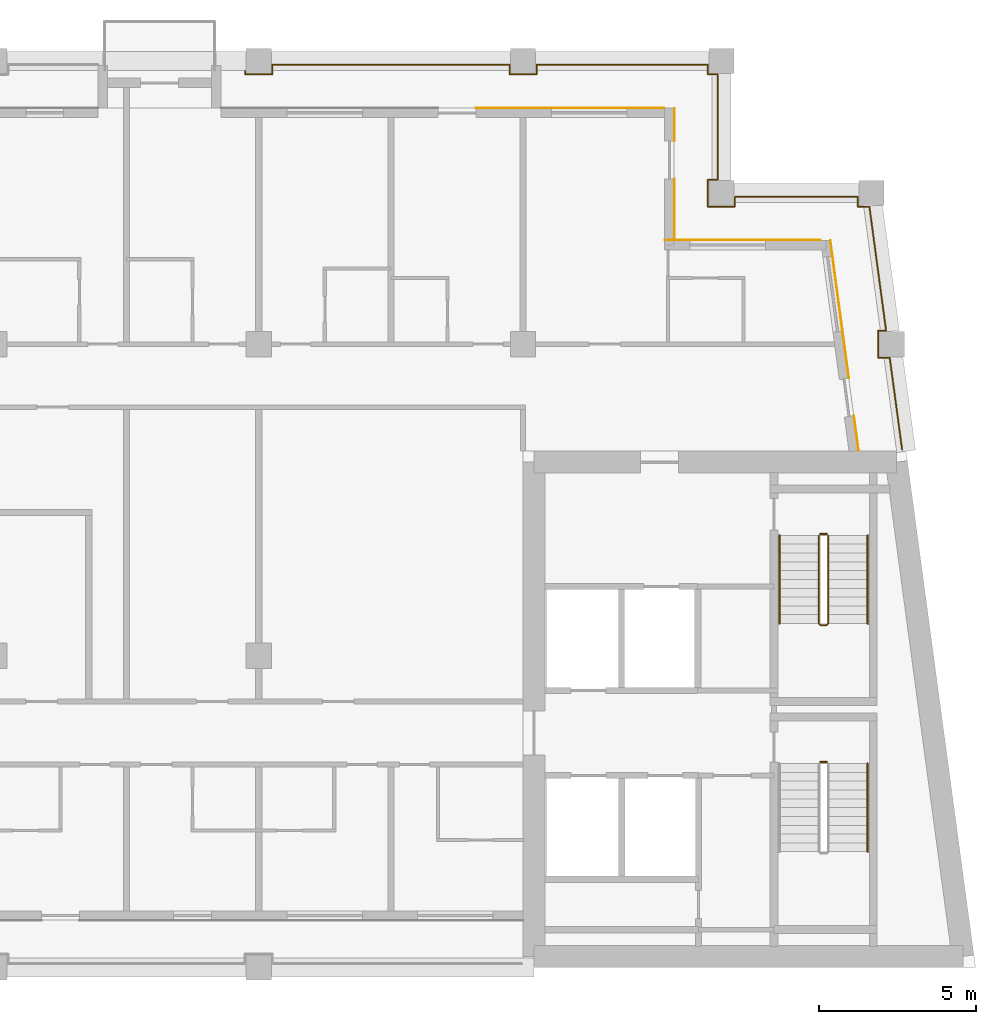
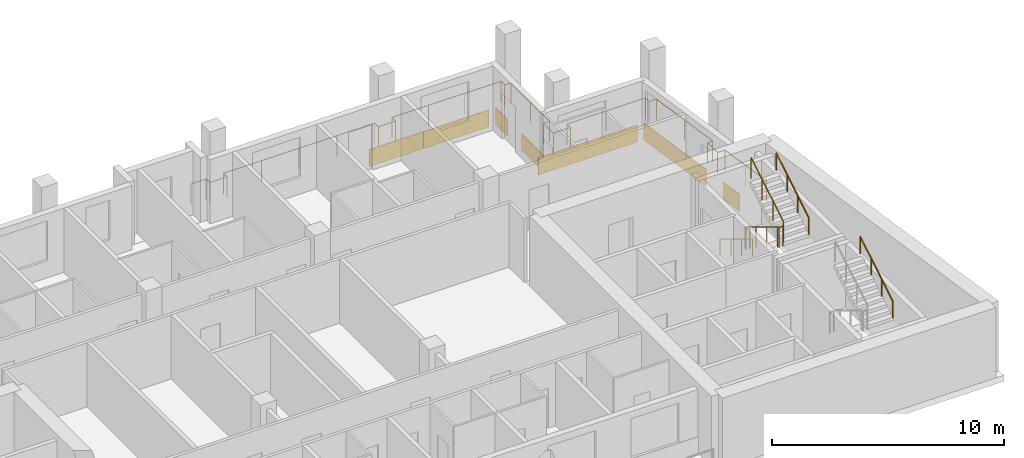
# One storey, part 9 of 10: 7 coverings, 7 railings.
"""IFC4 building model written with IfcOpenShell, lengths in metres."""

import ifcopenshell
import ifcopenshell.guid

model = None  # the IFC model being written
_history = None  # IfcOwnerHistory: only IFC2X3 demands one
_inside = {}  # id of a spatial element -> (the spatial element, [elements in it])
_under = {}  # id of a project, library or spatial element -> (it, [spatial elements below it])
_declared = {}  # id of a project -> (the project, [libraries it declares])
_typed = {}  # id of a type object -> (the type object, [elements of that type])
_made_of = {}  # id of a material, layer set ... -> (it, [elements and type objects made of it])


def new_model(schema):
    """Start an empty IFC model of exactly this schema.

    Asked for "IFC4X3", IfcOpenShell would pick the latest addendum, in which some entities
    have other attributes; the version numbers below select the first issue.
    IFC2X3 requires an IfcOwnerHistory on every rooted entity: one is made here for all.
    """
    global model, _history
    if schema == "IFC4X3":
        model = ifcopenshell.file(schema_version=(4, 3, 0, 0))
    else:
        model = ifcopenshell.file(schema=schema)
    _inside.clear()
    _under.clear()
    _declared.clear()
    _typed.clear()
    _made_of.clear()
    _history = None
    if model.schema == "IFC2X3":
        org = make("IfcOrganization", Name="unknown")
        user = make(
            "IfcPersonAndOrganization",
            ThePerson=make("IfcPerson", FamilyName="unknown"),
            TheOrganization=org,
        )
        app = make(
            "IfcApplication",
            ApplicationDeveloper=org,
            Version="unknown",
            ApplicationFullName="unknown",
            ApplicationIdentifier="unknown",
        )
        _history = make(
            "IfcOwnerHistory",
            OwningUser=user,
            OwningApplication=app,
            ChangeAction="ADDED",
            CreationDate=0,
        )
    return model


def make(cls, **values):
    """One entity of the class cls with the attributes given. An attribute that is None is left unset."""
    return model.create_entity(
        cls, **{name: value for name, value in values.items() if value is not None}
    )


def rooted(cls, **values):
    """An entity with a GlobalId (a new one), such as an element, a storey or a relation."""
    return make(cls, GlobalId=ifcopenshell.guid.new(), OwnerHistory=_history, **values)


def si_unit(unit_type, name, prefix=None):
    """IfcSIUnit, for example si_unit("LENGTHUNIT", "METRE", prefix="MILLI")."""
    return make("IfcSIUnit", UnitType=unit_type, Prefix=prefix, Name=name)


def assignment(units):
    """IfcUnitAssignment: the units of a project."""
    return None if units is None else make("IfcUnitAssignment", Units=units)


def point(xyz):
    """IfcCartesianPoint."""
    return None if xyz is None else make("IfcCartesianPoint", Coordinates=xyz)


def direction(xyz):
    """IfcDirection."""
    return None if xyz is None else make("IfcDirection", DirectionRatios=xyz)


def frame(location, z_axis=None, x_axis=None):
    """IfcAxis2Placement3D, a coordinate frame: its origin and axes. An axis left out is left unset."""
    return make(
        "IfcAxis2Placement3D",
        Location=point(location),
        Axis=direction(z_axis),
        RefDirection=direction(x_axis),
    )


def frame_2d(location, x_axis=None):
    """IfcAxis2Placement2D, a coordinate frame in the plane: its origin and x axis."""
    return make(
        "IfcAxis2Placement2D", Location=point(location), RefDirection=direction(x_axis)
    )


def origin():
    """The frame at (0, 0, 0) with its axes left unset."""
    return frame((0.0, 0.0, 0.0))


def origin_2d():
    """The frame at (0, 0) in the plane with its x axis left unset."""
    return frame_2d((0.0, 0.0))


def place(relative_to, where):
    """IfcLocalPlacement: puts the frame where relative to a parent placement (None: the world)."""
    return make(
        "IfcLocalPlacement", PlacementRelTo=relative_to, RelativePlacement=where
    )


def context(
    kind, dimensions, precision=None, world=None, true_north=None, identifier=None
):
    """IfcGeometricRepresentationContext, for example the 3D "Model" context."""
    return make(
        "IfcGeometricRepresentationContext",
        ContextIdentifier=identifier,
        ContextType=kind,
        CoordinateSpaceDimension=dimensions,
        Precision=precision,
        WorldCoordinateSystem=world,
        TrueNorth=true_north,
    )


def subcontext(parent, identifier, kind, view, scale=None):
    """IfcGeometricRepresentationSubContext, for example "Body" below "Model"."""
    return make(
        "IfcGeometricRepresentationSubContext",
        ContextIdentifier=identifier,
        ContextType=kind,
        ParentContext=parent,
        TargetScale=scale,
        TargetView=view,
    )


def project(units=None, contexts=None):
    """IfcProject with its units and contexts."""
    return rooted(
        "IfcProject",
        Name="project",
        RepresentationContexts=contexts,
        UnitsInContext=assignment(units),
    )


def spatial(cls, under=None, at=None, **own):
    """A site, building, storey or space (cls), placed at a placement, below another one or the project."""
    s = rooted(cls, ObjectPlacement=at, **own)
    if under is not None:
        _under.setdefault(under.id(), (under, []))[1].append(s)
    return s


def profile(cls, at=None, kind="AREA", **sizes):
    """A parametric profile (cls). Its sizes go by their IFC names, for example OverallWidth=200.0."""
    return make(cls, ProfileType=kind, Position=at, **sizes)


def rectangle(**sizes):
    """IfcRectangleProfileDef."""
    return profile("IfcRectangleProfileDef", **sizes)


def circle(**sizes):
    """IfcCircleProfileDef."""
    return profile("IfcCircleProfileDef", **sizes)


def extrude(swept, where, along, depth):
    """IfcExtrudedAreaSolid: the profile swept, set in the frame where, extruded along a direction by depth."""
    return make(
        "IfcExtrudedAreaSolid",
        SweptArea=swept,
        Position=where,
        ExtrudedDirection=direction(along),
        Depth=depth,
    )


def shape(context_of_items, identifier, shape_type, items):
    """IfcShapeRepresentation: the items that make up one representation, for example the "Body"."""
    return make(
        "IfcShapeRepresentation",
        ContextOfItems=context_of_items,
        RepresentationIdentifier=identifier,
        RepresentationType=shape_type,
        Items=items,
    )


def material(Name=None, Category=None):
    """IfcMaterial."""
    return make("IfcMaterial", Name=Name, Category=Category)


def layer(
    of_material, thickness, ventilated=None, Name=None, Category=None, Priority=None
):
    """IfcMaterialLayer: one layer of a wall or slab, of a material (None: an air gap)."""
    return make(
        "IfcMaterialLayer",
        Material=of_material,
        LayerThickness=thickness,
        IsVentilated=ventilated,
        Name=Name,
        Category=Category,
        Priority=Priority,
    )


def layer_set(layers, Name=None):
    """IfcMaterialLayerSet."""
    return make("IfcMaterialLayerSet", MaterialLayers=layers, LayerSetName=Name)


def made_of(thing, what):
    """Note that an element or type object is made of a material, layer set ...; save() writes the relation."""
    if what is not None:
        _made_of.setdefault(what.id(), (what, []))[1].append(thing)
    return thing


def type_object(cls, material=None, **own):
    """A type object (cls), such as IfcWallType, which elements share."""
    return made_of(rooted(cls, **own), material)


def element(
    cls,
    number,
    at=None,
    inside=None,
    cuts=None,
    type_object=None,
    material=None,
    context=None,
    identifier="Body",
    shape_type=None,
    held_by="IfcProductDefinitionShape",
    body=None,
    shapes=None,
    **own,
):
    """One element of the class cls, such as IfcWall. Its Tag is "e" and its number.

    at: its placement. inside: the storey or other place that contains it. cuts: it is an
    opening in that element (IfcRelVoidsElement). A single representation is given by context,
    identifier, shape_type and body (its items); several are given by shapes. held_by: the class
    of the entity that holds the representations. save() writes the other relations.
    """
    e = rooted(cls, Tag="e%d" % number, ObjectPlacement=at, **own)
    if body is not None:
        shapes = [shape(context, identifier, shape_type, body)]
    if shapes is not None:
        e.Representation = make(held_by, Representations=shapes)
    if inside is not None:
        _inside.setdefault(inside.id(), (inside, []))[1].append(e)
    if cuts is not None:
        rooted(
            "IfcRelVoidsElement", RelatingBuildingElement=cuts, RelatedOpeningElement=e
        )
    if type_object is not None:
        _typed.setdefault(type_object.id(), (type_object, []))[1].append(e)
    return made_of(e, material)


def aggregate(whole, parts):
    """IfcRelAggregates: a whole, such as a stair, and the parts it consists of."""
    return rooted("IfcRelAggregates", RelatingObject=whole, RelatedObjects=parts)


def save(model, path):
    """Write the relations noted so far, then the file.

    IfcRelAggregates (storeys below a building ...), IfcRelContainedInSpatialStructure (elements
    in a storey), IfcRelDefinesByType, IfcRelAssociatesMaterial and IfcRelDeclares: one each for
    every whole, place, type object, material and project.
    """
    for whole, parts in _under.values():
        aggregate(whole, parts)
    for where, things in _inside.values():
        rooted(
            "IfcRelContainedInSpatialStructure",
            RelatedElements=things,
            RelatingStructure=where,
        )
    for kind, things in _typed.values():
        rooted("IfcRelDefinesByType", RelatedObjects=things, RelatingType=kind)
    for what, things in _made_of.values():
        rooted("IfcRelAssociatesMaterial", RelatedObjects=things, RelatingMaterial=what)
    for by, libraries in _declared.values():
        rooted("IfcRelDeclares", RelatingContext=by, RelatedDefinitions=libraries)
    model.write(path)


model = new_model("IFC4")

# Units and contexts
model_context = context("Model", 3, precision=1e-05, world=origin(), true_north=direction((0.0, 1.0)))
body_context = subcontext(model_context, "Body", "Model", "MODEL_VIEW")
ifc_project = project(units=[si_unit("LENGTHUNIT", "METRE"), si_unit("AREAUNIT", "SQUARE_METRE"), si_unit("VOLUMEUNIT", "CUBIC_METRE"), si_unit("PLANEANGLEUNIT", "RADIAN"), si_unit("MASSUNIT", "GRAM", prefix="KILO")], contexts=[model_context])

# Site, building, storey
site_placement = place(None, origin())
site = spatial("IfcSite", under=ifc_project, at=site_placement, CompositionType="ELEMENT")
building_placement = place(site_placement, origin())
building = spatial("IfcBuilding", under=site, at=building_placement, Name="Candeia Pilgrim Tower and Theatre", CompositionType="ELEMENT")
storey_placement = place(building_placement, frame((0.0, 0.0, 292.300048828125)))
storey = spatial("IfcBuildingStorey", under=building, at=storey_placement, Name="L71", CompositionType="ELEMENT", Elevation=292.300048828125)

# Railing
ifc_material_1 = material(Name="Stainless steel balustrade", Category="steel")
railing_type_1 = type_object("IfcRailingType", Name="G1 loggia guard 1100", PredefinedType="GUARDRAIL", material=ifc_material_1)
railing_1_placement = place(storey_placement, frame((116.39990234375, 144.679931640625, 0.0)))
element("IfcRailing", 1, at=railing_1_placement, inside=storey, type_object=railing_type_1, Name="Guard L71.2", PredefinedType="GUARDRAIL", context=body_context, shape_type="SweptSolid", body=[
    extrude(circle(Radius=0.02392578125, at=origin_2d()), frame((0.0, 0.0, 1.076171875), z_axis=(1.0, 0.0, 0.0), x_axis=(0.0, 1.0, 0.0)), (0.0, 0.0, 1.0), 0.77001953125),
    extrude(circle(Radius=0.02392578125, at=origin_2d()), frame((0.77001953125, 0.0, 1.076171875), z_axis=(0.0, -1.0, 0.0), x_axis=(1.0, 0.0, 0.0)), (0.0, 0.0, 1.0), 0.309814453125),
    extrude(circle(Radius=0.02392578125, at=origin_2d()), frame((0.77001953125, -0.309814453125, 1.076171875), z_axis=(1.0, 0.0, 0.0), x_axis=(0.0, 1.0, 0.0)), (0.0, 0.0, 1.0), 0.860107421875),
    extrude(circle(Radius=0.02392578125, at=origin_2d()), frame((1.630126953125, -0.309814453125, 1.076171875), z_axis=(0.0, 1.0, 0.0), x_axis=(-1.0, 0.0, 0.0)), (0.0, 0.0, 1.0), 0.309814453125),
    extrude(circle(Radius=0.02392578125, at=origin_2d()), frame((1.630126953125, 0.0, 1.076171875), z_axis=(1.0, 0.0, 0.0), x_axis=(0.0, 1.0, 0.0)), (0.0, 0.0, 1.0), 7.5400390625),
    extrude(circle(Radius=0.02392578125, at=origin_2d()), frame((9.170166015625, 0.0, 1.076171875), z_axis=(0.0, -1.0, 0.0), x_axis=(1.0, 0.0, 0.0)), (0.0, 0.0, 1.0), 0.309814453125),
    extrude(circle(Radius=0.02392578125, at=origin_2d()), frame((9.170166015625, -0.309814453125, 1.076171875), z_axis=(1.0, 0.0, 0.0), x_axis=(0.0, 1.0, 0.0)), (0.0, 0.0, 1.0), 0.85986328125),
    extrude(circle(Radius=0.02392578125, at=origin_2d()), frame((10.030029296875, -0.309814453125, 1.076171875), z_axis=(0.0, 1.0, 0.0), x_axis=(-1.0, 0.0, 0.0)), (0.0, 0.0, 1.0), 0.309814453125),
    extrude(circle(Radius=0.02392578125, at=origin_2d()), frame((10.030029296875, 0.0, 1.076171875), z_axis=(1.0, 0.0, 0.0), x_axis=(0.0, 1.0, 0.0)), (0.0, 0.0, 1.0), 5.440185546875),
    extrude(circle(Radius=0.02392578125, at=origin_2d()), frame((15.47021484375, 0.0, 1.076171875), z_axis=(0.0, -1.0, 0.0), x_axis=(1.0, 0.0, 0.0)), (0.0, 0.0, 1.0), 0.309814453125),
    extrude(circle(Radius=0.02392578125, at=origin_2d()), frame((15.47021484375, -0.309814453125, 1.076171875), z_axis=(1.0, 0.0, 0.0), x_axis=(0.0, 1.0, 0.0)), (0.0, 0.0, 1.0), 0.309814453125),
    extrude(circle(Radius=0.02392578125, at=origin_2d()), frame((15.780029296875, -0.309814453125, 1.076171875), z_axis=(0.0, -1.0, 0.0), x_axis=(1.0, 0.0, 0.0)), (0.0, 0.0, 1.0), 3.340087890625),
    extrude(circle(Radius=0.02392578125, at=origin_2d()), frame((15.780029296875, -3.64990234375, 1.076171875), z_axis=(-1.0, 0.0, 0.0), x_axis=(0.0, -1.0, 0.0)), (0.0, 0.0, 1.0), 0.309814453125),
    extrude(circle(Radius=0.02392578125, at=origin_2d()), frame((15.47021484375, -3.64990234375, 1.076171875), z_axis=(0.0, -1.0, 0.0), x_axis=(1.0, 0.0, 0.0)), (0.0, 0.0, 1.0), 0.860107421875),
    extrude(circle(Radius=0.02392578125, at=origin_2d()), frame((15.47021484375, -4.510009765625, 1.076171875), z_axis=(1.0, 0.0, 0.0), x_axis=(0.0, 1.0, 0.0)), (0.0, 0.0, 1.0), 0.85986328125),
    extrude(circle(Radius=0.02392578125, at=origin_2d()), frame((16.330078125, -4.510009765625, 1.076171875), z_axis=(0.0, 1.0, 0.0), x_axis=(-1.0, 0.0, 0.0)), (0.0, 0.0, 1.0), 0.31005859375),
    extrude(circle(Radius=0.02392578125, at=origin_2d()), frame((16.330078125, -4.199951171875, 1.076171875), z_axis=(1.0, 0.0, 0.0), x_axis=(0.0, 1.0, 0.0)), (0.0, 0.0, 1.0), 3.905517578125),
    extrude(circle(Radius=0.02392578125, at=origin_2d()), frame((20.235595703125, -4.199951171875, 1.076171875), z_axis=(0.0, -1.0, 0.0), x_axis=(1.0, 0.0, 0.0)), (0.0, 0.0, 1.0), 0.31005859375),
    extrude(circle(Radius=0.02392578125, at=origin_2d()), frame((20.235595703125, -4.510009765625, 1.076171875), z_axis=(1.0, 0.0, 0.0), x_axis=(0.0, 1.0, 0.0)), (0.0, 0.0, 1.0), 0.36669921875),
    extrude(circle(Radius=0.02392578125, at=origin_2d()), frame((20.602294921875, -4.510009765625, 1.076171875), z_axis=(0.133386492616, -0.991064096609, 0.0), x_axis=(0.991064096609, 0.133386492616, 0.0)), (0.0, 0.0, 1.0), 3.9755859375),
    extrude(circle(Radius=0.02392578125, at=origin_2d()), frame((21.132568359375, -8.449951171875, 1.076171875), z_axis=(-1.0, 0.0, 0.0), x_axis=(0.0, -1.0, 0.0)), (0.0, 0.0, 1.0), 0.2509765625),
    extrude(circle(Radius=0.02392578125, at=origin_2d()), frame((20.881591796875, -8.449951171875, 1.076171875), z_axis=(0.0, -1.0, 0.0), x_axis=(1.0, 0.0, 0.0)), (0.0, 0.0, 1.0), 0.85986328125),
    extrude(circle(Radius=0.02392578125, at=origin_2d()), frame((20.881591796875, -9.309814453125, 1.076171875), z_axis=(1.0, 0.0, 0.0), x_axis=(0.0, 1.0, 0.0)), (0.0, 0.0, 1.0), 0.366943359375),
    extrude(circle(Radius=0.02392578125, at=origin_2d()), frame((21.24853515625, -9.309814453125, 1.076171875), z_axis=(0.133401056725, -0.991062136329, 0.0), x_axis=(0.991062136329, 0.133401056725, 0.0)), (0.0, 0.0, 1.0), 2.946533203125),
    extrude(circle(Radius=0.02099609375, at=origin_2d()), origin(), (0.0, 0.0, 1.0), 1.052001953125),
    extrude(circle(Radius=0.02099609375, at=origin_2d()), frame((0.77001953125, 0.0, 0.0)), (0.0, 0.0, 1.0), 1.052001953125),
    extrude(circle(Radius=0.02099609375, at=origin_2d()), frame((0.77001953125, -0.309814453125, 0.0)), (0.0, 0.0, 1.0), 1.052001953125),
    extrude(circle(Radius=0.02099609375, at=origin_2d()), frame((1.630126953125, -0.309814453125, 0.0)), (0.0, 0.0, 1.0), 1.052001953125),
    extrude(circle(Radius=0.02099609375, at=origin_2d()), frame((1.630126953125, 0.0, 0.0)), (0.0, 0.0, 1.0), 1.052001953125),
    extrude(circle(Radius=0.02099609375, at=origin_2d()), frame((3.51513671875, 0.0, 0.0)), (0.0, 0.0, 1.0), 1.052001953125),
    extrude(circle(Radius=0.02099609375, at=origin_2d()), frame((5.400146484375, 0.0, 0.0)), (0.0, 0.0, 1.0), 1.052001953125),
    extrude(circle(Radius=0.02099609375, at=origin_2d()), frame((7.28515625, 0.0, 0.0)), (0.0, 0.0, 1.0), 1.052001953125),
    extrude(circle(Radius=0.02099609375, at=origin_2d()), frame((9.170166015625, 0.0, 0.0)), (0.0, 0.0, 1.0), 1.052001953125),
    extrude(circle(Radius=0.02099609375, at=origin_2d()), frame((9.170166015625, -0.309814453125, 0.0)), (0.0, 0.0, 1.0), 1.052001953125),
    extrude(circle(Radius=0.02099609375, at=origin_2d()), frame((10.030029296875, -0.309814453125, 0.0)), (0.0, 0.0, 1.0), 1.052001953125),
    extrude(circle(Radius=0.02099609375, at=origin_2d()), frame((10.030029296875, 0.0, 0.0)), (0.0, 0.0, 1.0), 1.052001953125),
    extrude(circle(Radius=0.02099609375, at=origin_2d()), frame((11.843505859375, 0.0, 0.0)), (0.0, 0.0, 1.0), 1.052001953125),
    extrude(circle(Radius=0.02099609375, at=origin_2d()), frame((13.65673828125, 0.0, 0.0)), (0.0, 0.0, 1.0), 1.052001953125),
    extrude(circle(Radius=0.02099609375, at=origin_2d()), frame((15.47021484375, 0.0, 0.0)), (0.0, 0.0, 1.0), 1.052001953125),
    extrude(circle(Radius=0.02099609375, at=origin_2d()), frame((15.47021484375, -0.309814453125, 0.0)), (0.0, 0.0, 1.0), 1.052001953125),
    extrude(circle(Radius=0.02099609375, at=origin_2d()), frame((15.780029296875, -0.309814453125, 0.0)), (0.0, 0.0, 1.0), 1.052001953125),
    extrude(circle(Radius=0.02099609375, at=origin_2d()), frame((15.780029296875, -1.97998046875, 0.0)), (0.0, 0.0, 1.0), 1.052001953125),
    extrude(circle(Radius=0.02099609375, at=origin_2d()), frame((15.780029296875, -3.64990234375, 0.0)), (0.0, 0.0, 1.0), 1.052001953125),
    extrude(circle(Radius=0.02099609375, at=origin_2d()), frame((15.47021484375, -3.64990234375, 0.0)), (0.0, 0.0, 1.0), 1.052001953125),
    extrude(circle(Radius=0.02099609375, at=origin_2d()), frame((15.47021484375, -4.510009765625, 0.0)), (0.0, 0.0, 1.0), 1.052001953125),
    extrude(circle(Radius=0.02099609375, at=origin_2d()), frame((16.330078125, -4.510009765625, 0.0)), (0.0, 0.0, 1.0), 1.052001953125),
    extrude(circle(Radius=0.02099609375, at=origin_2d()), frame((16.330078125, -4.199951171875, 0.0)), (0.0, 0.0, 1.0), 1.052001953125),
    extrude(circle(Radius=0.02099609375, at=origin_2d()), frame((18.28271484375, -4.199951171875, 0.0)), (0.0, 0.0, 1.0), 1.052001953125),
    extrude(circle(Radius=0.02099609375, at=origin_2d()), frame((20.235595703125, -4.199951171875, 0.0)), (0.0, 0.0, 1.0), 1.052001953125),
    extrude(circle(Radius=0.02099609375, at=origin_2d()), frame((20.235595703125, -4.510009765625, 0.0)), (0.0, 0.0, 1.0), 1.052001953125),
    extrude(circle(Radius=0.02099609375, at=origin_2d()), frame((20.602294921875, -4.510009765625, 0.0)), (0.0, 0.0, 1.0), 1.052001953125),
    extrude(circle(Radius=0.02099609375, at=origin_2d()), frame((20.867431640625, -6.47998046875, 0.0)), (0.0, 0.0, 1.0), 1.052001953125),
    extrude(circle(Radius=0.02099609375, at=origin_2d()), frame((21.132568359375, -8.449951171875, 0.0)), (0.0, 0.0, 1.0), 1.052001953125),
    extrude(circle(Radius=0.02099609375, at=origin_2d()), frame((20.881591796875, -8.449951171875, 0.0)), (0.0, 0.0, 1.0), 1.052001953125),
    extrude(circle(Radius=0.02099609375, at=origin_2d()), frame((20.881591796875, -9.309814453125, 0.0)), (0.0, 0.0, 1.0), 1.052001953125),
    extrude(circle(Radius=0.02099609375, at=origin_2d()), frame((21.24853515625, -9.309814453125, 0.0)), (0.0, 0.0, 1.0), 1.052001953125),
    extrude(circle(Radius=0.02099609375, at=origin_2d()), frame((21.445068359375, -10.77001953125, 0.0)), (0.0, 0.0, 1.0), 1.052001953125),
    extrude(circle(Radius=0.02099609375, at=origin_2d()), frame((21.6416015625, -12.22998046875, 0.0)), (0.0, 0.0, 1.0), 1.052001953125),
])

# Coverings
ifc_material_2 = material(Name="Glazed ceramic tile bottle green")
ifc_layer_1 = layer(ifc_material_2, 0.02001953125)
ifc_layer_set_1 = layer_set([ifc_layer_1], Name="Glazed ceramic tile bottle green")
covering_type_1 = type_object("IfcCoveringType", Name="Glazed ceramic tile bottle green", PredefinedType="CLADDING", material=ifc_layer_set_1)
covering_1_placement = place(storey_placement, frame((132.976318359375, 139.110107421875, 0.0), z_axis=(0.0, 0.0, 1.0), x_axis=(-1.0, 0.0, 0.0)))
element("IfcCovering", 2, at=covering_1_placement, inside=storey, type_object=covering_type_1, Name="Tile cladding bottle green L71", PredefinedType="CLADDING", context=body_context, shape_type="SweptSolid", body=[
    extrude(rectangle(XDim=4.95263671875, YDim=0.02001953125, at=origin_2d()), origin(), (0.0, 0.0, 1.0), 0.89990234375),
])
covering_2_placement = place(storey_placement, frame((130.81005859375, 142.77490234375, 0.0), z_axis=(0.0, 0.0, 1.0), x_axis=(0.0, 1.0, 0.0)))
element("IfcCovering", 3, at=covering_2_placement, inside=storey, type_object=covering_type_1, Name="Tile cladding bottle green L71", PredefinedType="CLADDING", context=body_context, shape_type="SweptSolid", body=[
    extrude(rectangle(XDim=1.050048828125, YDim=0.02001953125, at=origin_2d()), origin(), (0.0, 0.0, 1.0), 0.89990234375),
])
covering_3_placement = place(storey_placement, frame((128.840087890625, 143.31005859375, 0.0), z_axis=(0.0, 0.0, 1.0), x_axis=(-1.0, 0.0, 0.0)))
element("IfcCovering", 4, at=covering_3_placement, inside=storey, type_object=covering_type_1, Name="Tile cladding bottle green L71", PredefinedType="CLADDING", context=body_context, shape_type="SweptSolid", body=[
    extrude(rectangle(XDim=3.280029296875, YDim=0.02001953125, at=origin_2d()), origin(), (0.0, 0.0, 1.0), 0.89990234375),
])
ifc_material_3 = material(Name="Glazed ceramic tile rust")
ifc_layer_2 = layer(ifc_material_3, 0.02001953125)
ifc_layer_set_2 = layer_set([ifc_layer_2], Name="Glazed ceramic tile rust")
covering_type_2 = type_object("IfcCoveringType", Name="Glazed ceramic tile rust", PredefinedType="CLADDING", material=ifc_layer_set_2)
covering_4_placement = place(storey_placement, frame((136.588623046875, 132.97412109375, 0.0), z_axis=(0.0, 0.0, 1.0), x_axis=(-0.133412012145, 0.991060661622, 0.0)))
element("IfcCovering", 5, at=covering_4_placement, inside=storey, type_object=covering_type_2, Name="Tile cladding rust L71", PredefinedType="CLADDING", context=body_context, shape_type="SweptSolid", body=[
    extrude(rectangle(XDim=1.115234375, YDim=0.02001953125, at=origin_2d()), origin(), (0.0, 0.0, 1.0), 0.89990234375),
])
covering_5_placement = place(storey_placement, frame((136.058837890625, 136.90869140625, 0.0), z_axis=(0.0, 0.0, 1.0), x_axis=(-0.133412012145, 0.991060661622, 0.0)))
element("IfcCovering", 6, at=covering_5_placement, inside=storey, type_object=covering_type_2, Name="Tile cladding rust L71", PredefinedType="CLADDING", context=body_context, shape_type="SweptSolid", body=[
    extrude(rectangle(XDim=4.4248046875, YDim=0.02001953125, at=origin_2d()), origin(), (0.0, 0.0, 1.0), 0.89990234375),
])
covering_6_placement = place(storey_placement, frame((130.81005859375, 140.0849609375, 0.0), z_axis=(0.0, 0.0, 1.0), x_axis=(0.0, 1.0, 0.0)))
element("IfcCovering", 7, at=covering_6_placement, inside=storey, type_object=covering_type_2, Name="Tile cladding rust L71", PredefinedType="CLADDING", context=body_context, shape_type="SweptSolid", body=[
    extrude(rectangle(XDim=1.929931640625, YDim=0.02001953125, at=origin_2d()), origin(), (0.0, 0.0, 1.0), 0.89990234375),
])
covering_7_placement = place(storey_placement, frame((125.85009765625, 143.31005859375, 0.0), z_axis=(0.0, 0.0, 1.0), x_axis=(-1.0, 0.0, 0.0)))
element("IfcCovering", 8, at=covering_7_placement, inside=storey, type_object=covering_type_2, Name="Tile cladding rust L71", PredefinedType="CLADDING", context=body_context, shape_type="SweptSolid", body=[
    extrude(rectangle(XDim=2.699951171875, YDim=0.02001953125, at=origin_2d()), origin(), (0.0, 0.0, 1.0), 0.89990234375),
])

# Railings
railing_type_2 = type_object("IfcRailingType", Name="RL-GUARD-1100", PredefinedType="GUARDRAIL", material=ifc_material_1)
railing_2_placement = place(storey_placement, frame((135.447998046875, 122.52490234375, 0.0)))
element("IfcRailing", 9, at=railing_2_placement, inside=storey, type_object=railing_type_2, Name="L71 ST3 stair guard 2", PredefinedType="GUARDRAIL", context=body_context, shape_type="SweptSolid", body=[
    extrude(circle(Radius=0.02392578125, at=origin_2d()), frame((0.0, 0.0, 1.076171875), z_axis=(1.0, 0.0, 0.0), x_axis=(0.0, 1.0, 0.0)), (0.0, 0.0, 1.0), 0.199951171875),
    extrude(circle(Radius=0.02099609375, at=origin_2d()), origin(), (0.0, 0.0, 1.0), 1.052001953125),
    extrude(circle(Radius=0.02099609375, at=origin_2d()), frame((0.199951171875, 0.0, 0.0)), (0.0, 0.0, 1.0), 1.052001953125),
])
railing_3_placement = place(storey_placement, frame((135.39794921875, 129.72509765625, 0.168212890625)))
element("IfcRailing", 10, at=railing_3_placement, inside=storey, type_object=railing_type_2, Name="L71 ST4 stair guard 1", PredefinedType="GUARDRAIL", context=body_context, shape_type="SweptSolid", body=[
    extrude(circle(Radius=0.02392578125, at=origin_2d()), frame((0.0, 0.0, 1.076171875), z_axis=(0.0, -0.857275202839, 0.514858452973), x_axis=(1.0, 0.0, 0.0)), (0.0, 0.0, 1.0), 3.26611328125),
    extrude(circle(Radius=0.02392578125, at=origin_2d()), frame((0.0, -2.800048828125, 2.7578125), z_axis=(0.707106781187, -0.707106781187, 0.0), x_axis=(0.707106781187, 0.707106781187, 0.0)), (0.0, 0.0, 1.0), 0.07080078125),
    extrude(circle(Radius=0.02392578125, at=origin_2d()), frame((0.050048828125, -2.85009765625, 2.7578125), z_axis=(1.0, 0.0, 0.0), x_axis=(0.0, 1.0, 0.0)), (0.0, 0.0, 1.0), 0.199951171875),
    extrude(circle(Radius=0.02392578125, at=origin_2d()), frame((0.25, -2.85009765625, 2.7578125), z_axis=(0.274243871929, 0.274243871929, 0.92172696468), x_axis=(-0.707106781187, 0.707106781187, 0.0)), (0.0, 0.0, 1.0), 0.1826171875),
    extrude(circle(Radius=0.02392578125, at=origin_2d()), frame((0.300048828125, -2.800048828125, 2.92578125), z_axis=(0.0, 0.857242210791, 0.514913383045), x_axis=(-1.0, 0.0, 0.0)), (0.0, 0.0, 1.0), 3.266357421875),
    extrude(circle(Radius=0.02099609375, at=origin_2d()), origin(), (0.0, 0.0, 1.0), 1.052001953125),
    extrude(circle(Radius=0.02099609375, at=origin_2d()), frame((0.0, -0.933349609375, 0.560546875)), (0.0, 0.0, 1.0), 1.052001953125),
    extrude(circle(Radius=0.02099609375, at=origin_2d()), frame((0.0, -1.86669921875, 1.12109375)), (0.0, 0.0, 1.0), 1.052001953125),
    extrude(circle(Radius=0.02099609375, at=origin_2d()), frame((0.0, -2.800048828125, 1.681640625)), (0.0, 0.0, 1.0), 1.052001953125),
    extrude(circle(Radius=0.02099609375, at=origin_2d()), frame((0.050048828125, -2.85009765625, 1.681640625)), (0.0, 0.0, 1.0), 1.052001953125),
    extrude(circle(Radius=0.02099609375, at=origin_2d()), frame((0.25, -2.85009765625, 1.681640625)), (0.0, 0.0, 1.0), 1.052001953125),
    extrude(circle(Radius=0.02099609375, at=origin_2d()), frame((0.300048828125, -2.800048828125, 1.849853515625)), (0.0, 0.0, 1.0), 1.052001953125),
    extrude(circle(Radius=0.02099609375, at=origin_2d()), frame((0.300048828125, -1.86669921875, 2.410400390625)), (0.0, 0.0, 1.0), 1.052001953125),
    extrude(circle(Radius=0.02099609375, at=origin_2d()), frame((0.300048828125, -0.933349609375, 2.97119140625)), (0.0, 0.0, 1.0), 1.052001953125),
    extrude(circle(Radius=0.02099609375, at=origin_2d()), frame((0.300048828125, 0.0, 3.53173828125)), (0.0, 0.0, 1.0), 1.052001953125),
])
railing_4_placement = place(storey_placement, frame((135.447998046875, 129.77490234375, 0.0)))
element("IfcRailing", 11, at=railing_4_placement, inside=storey, type_object=railing_type_2, Name="L71 ST4 stair guard 2", PredefinedType="GUARDRAIL", context=body_context, shape_type="SweptSolid", body=[
    extrude(circle(Radius=0.02392578125, at=origin_2d()), frame((0.0, 0.0, 1.076171875), z_axis=(1.0, 0.0, 0.0), x_axis=(0.0, 1.0, 0.0)), (0.0, 0.0, 1.0), 0.199951171875),
    extrude(circle(Radius=0.02099609375, at=origin_2d()), origin(), (0.0, 0.0, 1.0), 1.052001953125),
    extrude(circle(Radius=0.02099609375, at=origin_2d()), frame((0.199951171875, 0.0, 0.0)), (0.0, 0.0, 1.0), 1.052001953125),
])
ifc_material_4 = material(Name="Stainless steel handrail", Category="steel")
railing_type_3 = type_object("IfcRailingType", Name="RL-HANDRAIL-900", PredefinedType="HANDRAIL", material=ifc_material_4)
railing_5_placement = place(storey_placement, frame((136.947998046875, 119.675048828125, 2.01806640625)))
element("IfcRailing", 12, at=railing_5_placement, inside=storey, type_object=railing_type_3, Name="L71 ST3 stair handrail 2", PredefinedType="HANDRAIL", context=body_context, shape_type="SweptSolid", body=[
    extrude(circle(Radius=0.02392578125, at=origin_2d()), frame((0.0, 0.0, 0.8759765625), z_axis=(0.0, 0.857242210791, 0.514913383045), x_axis=(-1.0, 0.0, 0.0)), (0.0, 0.0, 1.0), 3.266357421875),
    extrude(circle(Radius=0.02099609375, at=origin_2d()), origin(), (0.0, 0.0, 1.0), 0.851806640625),
    extrude(circle(Radius=0.02099609375, at=origin_2d()), frame((0.0, 0.933349609375, 0.560546875)), (0.0, 0.0, 1.0), 0.851806640625),
    extrude(circle(Radius=0.02099609375, at=origin_2d()), frame((0.0, 1.86669921875, 1.121337890625)), (0.0, 0.0, 1.0), 0.851806640625),
    extrude(circle(Radius=0.02099609375, at=origin_2d()), frame((0.0, 2.800048828125, 1.681884765625)), (0.0, 0.0, 1.0), 0.851806640625),
])
railing_6_placement = place(storey_placement, frame((134.14794921875, 129.72509765625, 0.168212890625)))
element("IfcRailing", 13, at=railing_6_placement, inside=storey, type_object=railing_type_3, Name="L71 ST4 stair handrail 1", PredefinedType="HANDRAIL", context=body_context, shape_type="SweptSolid", body=[
    extrude(circle(Radius=0.02392578125, at=origin_2d()), frame((0.0, 0.0, 0.8759765625), z_axis=(0.0, -0.857275202839, 0.514858452973), x_axis=(1.0, 0.0, 0.0)), (0.0, 0.0, 1.0), 3.26611328125),
    extrude(circle(Radius=0.02099609375, at=origin_2d()), origin(), (0.0, 0.0, 1.0), 0.851806640625),
    extrude(circle(Radius=0.02099609375, at=origin_2d()), frame((0.0, -0.933349609375, 0.560546875)), (0.0, 0.0, 1.0), 0.851806640625),
    extrude(circle(Radius=0.02099609375, at=origin_2d()), frame((0.0, -1.86669921875, 1.12109375)), (0.0, 0.0, 1.0), 0.851806640625),
    extrude(circle(Radius=0.02099609375, at=origin_2d()), frame((0.0, -2.800048828125, 1.681640625)), (0.0, 0.0, 1.0), 0.851806640625),
])
railing_7_placement = place(storey_placement, frame((136.947998046875, 126.925048828125, 2.01806640625)))
element("IfcRailing", 14, at=railing_7_placement, inside=storey, type_object=railing_type_3, Name="L71 ST4 stair handrail 2", PredefinedType="HANDRAIL", context=body_context, shape_type="SweptSolid", body=[
    extrude(circle(Radius=0.02392578125, at=origin_2d()), frame((0.0, 0.0, 0.8759765625), z_axis=(0.0, 0.857242210791, 0.514913383045), x_axis=(-1.0, 0.0, 0.0)), (0.0, 0.0, 1.0), 3.266357421875),
    extrude(circle(Radius=0.02099609375, at=origin_2d()), origin(), (0.0, 0.0, 1.0), 0.851806640625),
    extrude(circle(Radius=0.02099609375, at=origin_2d()), frame((0.0, 0.933349609375, 0.560546875)), (0.0, 0.0, 1.0), 0.851806640625),
    extrude(circle(Radius=0.02099609375, at=origin_2d()), frame((0.0, 1.86669921875, 1.121337890625)), (0.0, 0.0, 1.0), 0.851806640625),
    extrude(circle(Radius=0.02099609375, at=origin_2d()), frame((0.0, 2.800048828125, 1.681884765625)), (0.0, 0.0, 1.0), 0.851806640625),
])

save(model, "model.ifc")
